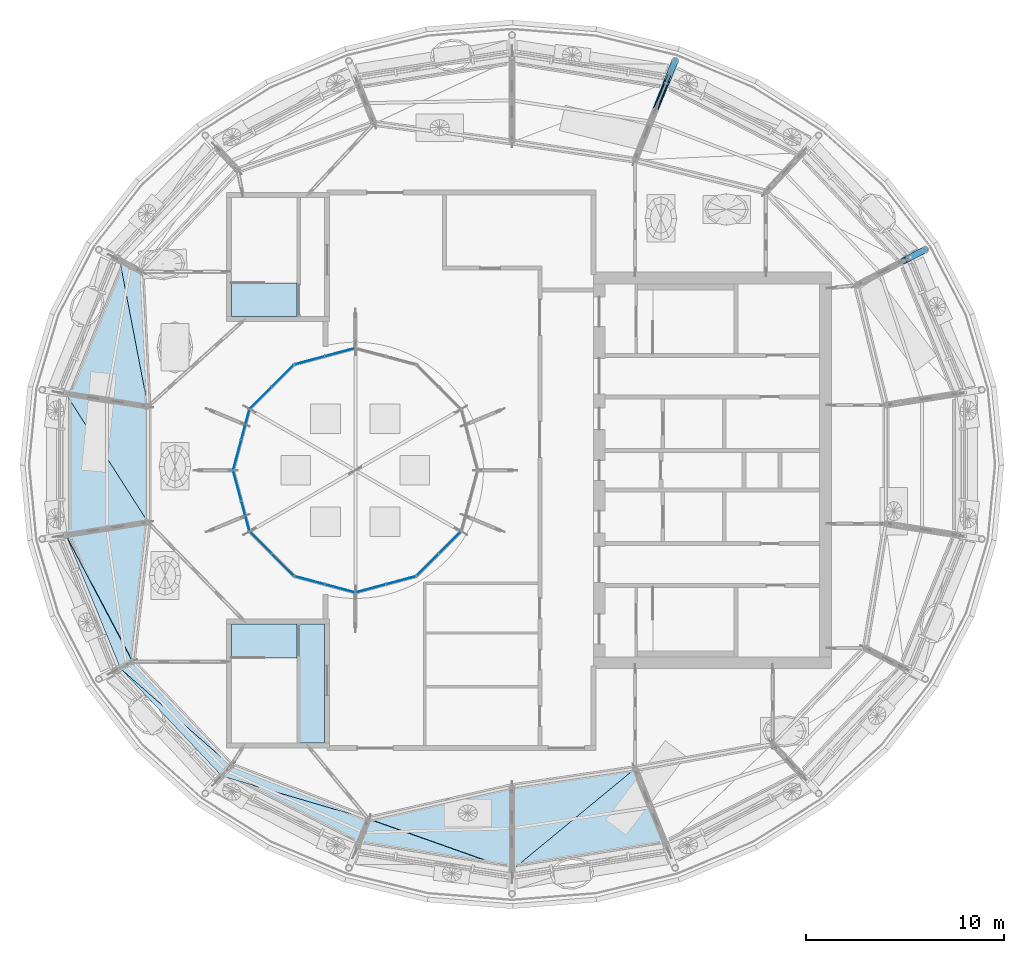
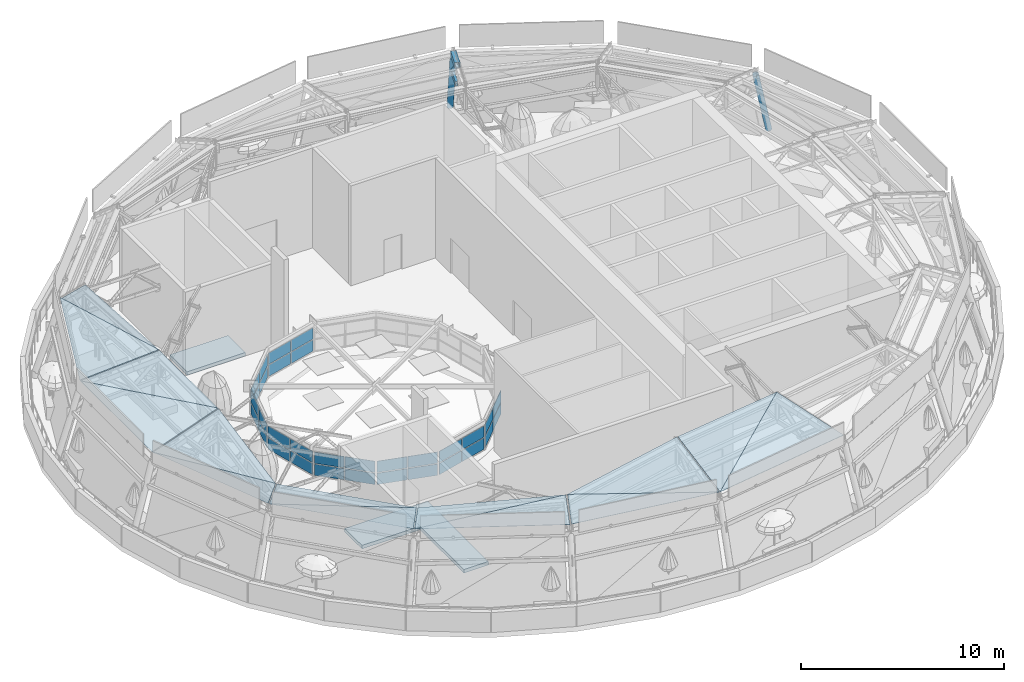
# One storey, part 14 of 40: 46 plates, 5 members, 3 slabs, 8 elements without a shape of their own.
"""IFC4 building model written with IfcOpenShell, lengths in metres."""

from ifc_helpers import new_model, si_unit, direction, frame, origin, origin_2d, place, context, subcontext, project, spatial, polyline, rectangle, hollow_rectangle, hollow_circle, outline, extrude, material, layer, layer_set, material_profile, profile_set, type_object, element, aggregate, save


model = new_model("IFC4")

# Units and contexts
model_context = context("Model", 3, precision=1e-05, world=origin(), true_north=direction((0.0, 1.0)))
body_context = subcontext(model_context, "Body", "Model", "MODEL_VIEW")
ifc_project = project(units=[si_unit("LENGTHUNIT", "METRE"), si_unit("AREAUNIT", "SQUARE_METRE"), si_unit("VOLUMEUNIT", "CUBIC_METRE"), si_unit("PLANEANGLEUNIT", "RADIAN"), si_unit("MASSUNIT", "GRAM", prefix="KILO")], contexts=[model_context])

# Site, building, storey
site_placement = place(None, origin())
site = spatial("IfcSite", under=ifc_project, at=site_placement, CompositionType="ELEMENT")
building_placement = place(site_placement, origin())
building = spatial("IfcBuilding", under=site, at=building_placement, Name="Taillehof Tower", CompositionType="ELEMENT")
storey_placement = place(building_placement, frame((0.0, 0.0, 275.199951171875)))
storey = spatial("IfcBuildingStorey", under=building, at=storey_placement, Name="L77", CompositionType="ELEMENT", Elevation=275.199951171875)

# Members
ifc_material_1 = material(Name="Steel S460M", Category="steel")
ifc_material_profile_1 = material_profile(ifc_material_1, hollow_rectangle(XDim=0.300048828125, YDim=0.300048828125, WallThickness=0.012451171875, InnerFilletRadius=0.012451171875, OuterFilletRadius=0.018798828125, at=origin_2d()), Name="RHS 300x300x12.5")
ifc_profile_set_1 = profile_set([ifc_material_profile_1], Name="Steel S460M")
member_type_1 = type_object("IfcMemberType", Name="Canopy rafter RHS 300x300x12.5", PredefinedType="RAFTER", material=ifc_profile_set_1)
member_1_placement = place(storey_placement, frame((7.67578125, 19.53173828125, 4.300048828125), z_axis=(-0.368316923818, -0.910685007914, 0.18707073526), x_axis=(0.927050748341, -0.374935874517, 0.0)))
element("IfcMember", 1, at=member_1_placement, inside=storey, type_object=member_type_1, Name="Canopy rafter 04 top chord 1", PredefinedType="RAFTER", context=body_context, shape_type="SweptSolid", body=[
    extrude(hollow_rectangle(XDim=0.300048828125, YDim=0.300048828125, WallThickness=0.012451171875, InnerFilletRadius=0.012451171875, OuterFilletRadius=0.018798828125, at=origin_2d()), origin(), (0.0, 0.0, 1.0), 1.425048828125),
])
ifc_material_2 = material(Name="Steel S460M", Category="steel")
ifc_material_profile_2 = material_profile(ifc_material_2, hollow_rectangle(XDim=0.14990234375, YDim=0.25, WallThickness=0.010009765625, InnerFilletRadius=0.010009765625, OuterFilletRadius=0.014892578125, at=origin_2d()), Name="RHS 250x150x10")
ifc_profile_set_2 = profile_set([ifc_material_profile_2], Name="Steel S460M")
member_type_2 = type_object("IfcMemberType", Name="Canopy rafter bottom chord RHS 250x150x10", PredefinedType="CHORD", material=ifc_profile_set_2)
member_2_placement = place(storey_placement, frame((7.82568359375, 19.902587890625, 3.0), z_axis=(-0.369305616031, -0.913380329878, 0.17131764346), x_axis=(0.927086518883, -0.374847417632, 0.0)))
element("IfcMember", 2, at=member_2_placement, inside=storey, type_object=member_type_2, Name="Canopy rafter 04 bottom chord 1", PredefinedType="CHORD", context=body_context, shape_type="SweptSolid", body=[
    extrude(hollow_rectangle(XDim=0.14990234375, YDim=0.25, WallThickness=0.010009765625, InnerFilletRadius=0.010009765625, OuterFilletRadius=0.014892578125, at=origin_2d()), origin(), (0.0, 0.0, 1.0), 1.55615234375),
])
ifc_material_3 = material(Name="Steel S460M", Category="steel")
ifc_material_profile_3 = material_profile(ifc_material_3, hollow_circle(Radius=0.109619140625, WallThickness=0.012451171875, at=origin_2d()), Name="CHS 219.1x12.5")
ifc_profile_set_3 = profile_set([ifc_material_profile_3], Name="Steel S460M")
member_type_3 = type_object("IfcMemberType", Name="Canopy rafter diagonal CHS 219.1x12.5", PredefinedType="BRACE", material=ifc_profile_set_3)
member_3_placement = place(storey_placement, frame((7.82568359375, 19.902587890625, 3.0), z_axis=(-0.28278555184, -0.699290610285, 0.656524922633), x_axis=(0.927066941281, -0.374895834045, 0.0)))
element("IfcMember", 3, at=member_3_placement, inside=storey, type_object=member_type_3, Name="Canopy rafter 04 diagonal 1", PredefinedType="BRACE", context=body_context, shape_type="SweptSolid", body=[
    extrude(hollow_circle(Radius=0.109619140625, WallThickness=0.012451171875, at=origin_2d()), origin(), (0.0, 0.0, 1.0), 2.38623046875),
])
ifc_material_4 = material(Name="Steel S460M", Category="steel")
ifc_material_profile_4 = material_profile(ifc_material_4, hollow_circle(Radius=0.161865234375, WallThickness=0.01611328125, at=origin_2d()), Name="CHS 323.9x16")
ifc_profile_set_4 = profile_set([ifc_material_profile_4], Name="Steel S460M")
member_type_4 = type_object("IfcMemberType", Name="Canopy raking column CHS 323.9x16", PredefinedType="POST", material=ifc_profile_set_4)
member_4_placement = place(storey_placement, frame((20.72802734375, 11.125, 0.300048828125), z_axis=(-0.255004105596, -0.132529644059, 0.957814595616), x_axis=(0.461154172377, -0.887320026427, 0.0)))
element("IfcMember", 4, at=member_4_placement, inside=storey, type_object=member_type_4, Name="Canopy raking column CC02", PredefinedType="POST", context=body_context, shape_type="SweptSolid", body=[
    extrude(hollow_circle(Radius=0.161865234375, WallThickness=0.01611328125, at=origin_2d()), origin(), (0.0, 0.0, 1.0), 4.17626953125),
])
member_5_placement = place(storey_placement, frame((8.12548828125, 20.644287109375, 0.300048828125), z_axis=(-0.107685299754, -0.266407117795, 0.957826249277), x_axis=(0.927123602073, -0.374755689054, 0.0)))
element("IfcMember", 5, at=member_5_placement, inside=storey, type_object=member_type_4, Name="Canopy raking column CC04", PredefinedType="POST", context=body_context, shape_type="SweptSolid", body=[
    extrude(hollow_circle(Radius=0.161865234375, WallThickness=0.01611328125, at=origin_2d()), origin(), (0.0, 0.0, 1.0), 4.176025390625),
])

# Plates
ifc_material_5 = material(Name="Clear laminated safety glass", Category="glass")
ifc_layer_1 = layer(ifc_material_5, 0.031982421875)
ifc_layer_set_1 = layer_set([ifc_layer_1], Name="Canopy glass panel 32")
plate_type_1 = type_object("IfcPlateType", Name="Canopy glass panel 32", PredefinedType="SHEET", material=ifc_layer_set_1)
plate_1_placement = place(storey_placement, frame((-19.863525390625, 10.537109375, 4.747802734375), z_axis=(-0.177751498874, 0.072575569252, 0.981395532594), x_axis=(-0.378164936887, -0.925738234789, -3.4038248e-05)))
element("IfcPlate", 6, at=plate_1_placement, inside=storey, type_object=plate_type_1, Name="Canopy glass panel 8", PredefinedType="SHEET", context=body_context, shape_type="SweptSolid", body=[
    extrude(outline(polyline([(0.0, 0.0), (7.172537903909927, 7.655416014648586e-16), (6.220695316126474, 4.129943630446427), (0.0, 0.0)])), origin(), (0.0, 0.0, -1.0), 0.031982421875),
])
plate_2_placement = place(storey_placement, frame((-19.841796875, 10.423583984375, 4.755615234375), z_axis=(-0.61068576377, -0.031137299134, 0.79126061859), x_axis=(0.187456882838, -0.976509534431, 0.106249923494)))
element("IfcPlate", 7, at=plate_2_placement, inside=storey, type_object=plate_type_1, Name="Canopy glass panel 8", PredefinedType="SHEET", context=body_context, shape_type="SweptSolid", body=[
    extrude(outline(polyline([(0.0, 0.0), (7.350648675242615, 0.0), (0.8076401509458508, 1.1512239789768919), (0.0, 0.0)])), origin(), (0.0, 0.0, -1.0), 0.031982421875),
])
plate_3_placement = place(storey_placement, frame((-22.58154296875, 3.8408203125, 4.748779296875), z_axis=(-0.189943445447, 0.004095572137, 0.981786490954), x_axis=(0.0, -0.999991299196, 0.004171514418)))
element("IfcPlate", 8, at=plate_3_placement, inside=storey, type_object=plate_type_1, Name="Canopy glass panel 9", PredefinedType="SHEET", context=body_context, shape_type="SweptSolid", body=[
    extrude(outline(polyline([(0.0, 0.0), (7.081604584404351, 0.0), (6.42866613800827, 4.186567891294047), (0.0, 0.0)])), origin(), (0.0, 0.0, -1.0), 0.031982421875),
])
plate_4_placement = place(storey_placement, frame((-22.58154296875, 3.8408203125, 4.748779296875), z_axis=(-0.188600761296, 0.004987090214, 0.9820411813), x_axis=(0.535780522883, -0.837530993184, 0.107149739876)))
element("IfcPlate", 9, at=plate_4_placement, inside=storey, type_object=plate_type_1, Name="Canopy glass panel 9", PredefinedType="SHEET", context=body_context, shape_type="SweptSolid", body=[
    extrude(outline(polyline([(0.0, 0.0), (7.671707699227627, 4.440892098500626e-16), (2.8368162593549395, 3.1474656228169335), (0.0, 0.0)])), origin(), (0.0, 0.0, -1.0), 0.031982421875),
])
plate_5_placement = place(storey_placement, frame((-22.57666015625, -3.298095703125, 4.786865234375), z_axis=(-0.69795829805, -0.284962261128, 0.657001311959), x_axis=(0.378154251284, -0.925742577887, 0.000204260489)))
element("IfcPlate", 10, at=plate_5_placement, inside=storey, type_object=plate_type_1, Name="Canopy glass panel 10", PredefinedType="SHEET", context=body_context, shape_type="SweptSolid", body=[
    extrude(outline(polyline([(0.0, 0.0), (7.171449357743147, 2.2768245622195593e-17), (7.105878757107202, 1.0512070568998189), (0.0, 0.0)])), origin(), (0.0, 0.0, -1.0), 0.031982421875),
])
plate_6_placement = place(storey_placement, frame((-22.57666015625, -3.298095703125, 4.77978515625), z_axis=(-0.192675782628, 0.021650154872, 0.981023605008), x_axis=(0.4630906035, -0.879413304584, 0.110360013913)))
element("IfcPlate", 11, at=plate_6_placement, inside=storey, type_object=plate_type_1, Name="Canopy glass panel 10", PredefinedType="SHEET", context=body_context, shape_type="SweptSolid", body=[
    extrude(outline(polyline([(0.0, 0.0), (7.183078193522009, -2.220446049250313e-16), (1.4176864119859394, 3.9943189068120275), (0.0, 0.0)])), origin(), (0.0, 0.0, -1.0), 0.031982421875),
])
plate_7_placement = place(storey_placement, frame((-19.836669921875, -9.9951171875, 4.778564453125), z_axis=(-0.548323753706, -0.5167480229, 0.657504784736), x_axis=(0.685842152831, -0.727750329028, 0.0)))
element("IfcPlate", 12, at=plate_7_placement, inside=storey, type_object=plate_type_1, Name="Canopy glass panel 11", PredefinedType="SHEET", context=body_context, shape_type="SweptSolid", body=[
    extrude(outline(polyline([(0.0, 0.0), (7.398522719926669, 4.440892098500626e-16), (7.353150048992442, 1.0518018196059145), (0.0, 0.0)])), origin(), (0.0, 0.0, -1.0), 0.031982421875),
])
plate_8_placement = place(storey_placement, frame((-19.836669921875, -9.9951171875, 4.778564453125), z_axis=(-0.555221799589, -0.52686194356, 0.643541176374), x_axis=(0.746686968832, -0.656563909208, 0.106688348483)))
element("IfcPlate", 13, at=plate_8_placement, inside=storey, type_object=plate_type_1, Name="Canopy glass panel 11", PredefinedType="SHEET", context=body_context, shape_type="SweptSolid", body=[
    extrude(outline(polyline([(0.0, 0.0), (7.427994528183491, 0.0), (0.33548153979251527, 0.9983494125164301), (0.0, 0.0)])), origin(), (0.0, 0.0, -1.0), 0.031982421875),
])
plate_9_placement = place(storey_placement, frame((-14.7080078125, -15.418701171875, 4.777587890625), z_axis=(-0.221337310152, -0.431087980292, 0.874741646649), x_axis=(0.889594012617, -0.456752112984, 0.0)))
element("IfcPlate", 14, at=plate_9_placement, inside=storey, type_object=plate_type_1, Name="Canopy glass panel 12", PredefinedType="SHEET", context=body_context, shape_type="SweptSolid", body=[
    extrude(outline(polyline([(0.0, 0.0), (7.64783339408764, 0.0), (7.518537706439309, 1.6358680788935966), (0.0, 0.0)])), origin(), (0.0, 0.0, -1.0), 0.031982421875),
])
plate_10_placement = place(storey_placement, frame((-14.7080078125, -15.418701171875, 4.7763671875), z_axis=(-0.281017382925, -0.723355656782, 0.630702643324), x_axis=(0.95420029005, -0.280869250408, 0.103025582476)))
element("IfcPlate", 15, at=plate_10_placement, inside=storey, type_object=plate_type_1, Name="Canopy glass panel 12", PredefinedType="SHEET", context=body_context, shape_type="SweptSolid", body=[
    extrude(outline(polyline([(0.0, 0.0), (7.694444334368317, -2.220446049250313e-16), (0.3922321069277287, 0.9777875920383662), (0.0, 0.0)])), origin(), (0.0, 0.0, -1.0), 0.031982421875),
])
plate_11_placement = place(storey_placement, frame((-7.81640625, -18.92919921875, 4.781494140625), z_axis=(-0.071997177757, -0.488536364726, 0.869568069064), x_axis=(0.987930480791, -0.154811342495, -0.005178161669)))
element("IfcPlate", 16, at=plate_11_placement, inside=storey, type_object=plate_type_1, Name="Canopy glass panel 13", PredefinedType="SHEET", context=body_context, shape_type="SweptSolid", body=[
    extrude(outline(polyline([(0.0, 0.0), (7.779440987430391, -4.85722573273506e-17), (0.32638188062307555, 1.6043741407013785), (0.0, 0.0)])), origin(), (0.0, 0.0, -1.0), 0.031982421875),
])
plate_12_placement = place(storey_placement, frame((-0.130859375, -20.133544921875, 4.7392578125), z_axis=(0.047815404412, -0.186900914643, 0.981214418568), x_axis=(0.000172713982, 0.98233955957, 0.187106814077)))
element("IfcPlate", 17, at=plate_12_placement, inside=storey, type_object=plate_type_1, Name="Canopy glass panel 13", PredefinedType="SHEET", context=body_context, shape_type="SweptSolid", body=[
    extrude(outline(polyline([(0.0, 0.0), (4.24066346895315, 0.0), (2.6495647074223276, 7.1751686642438335), (0.0, 0.0)])), origin(), (0.0, 0.0, -1.0), 0.031982421875),
])
plate_13_placement = place(storey_placement, frame((-0.072021484375, -20.12890625, 4.737548828125), z_axis=(0.032193868865, -0.188581909805, 0.9815296318), x_axis=(0.987963117364, 0.154666251316, -0.002688760383)))
element("IfcPlate", 18, at=plate_13_placement, inside=storey, type_object=plate_type_1, Name="Canopy glass panel 14", PredefinedType="SHEET", context=body_context, shape_type="SweptSolid", body=[
    extrude(outline(polyline([(0.0, 0.0), (7.808837814295275, 8.239936510889834e-17), (6.8549009238521545, 4.131938772824582), (0.0, 0.0)])), origin(), (0.0, 0.0, -1.0), 0.031982421875),
])
plate_14_placement = place(storey_placement, frame((-0.072021484375, -20.12890625, 4.737548828125), z_axis=(0.030882919803, -0.187042875276, 0.981866186439), x_axis=(0.768026670139, 0.633113370881, 0.096449435283)))
element("IfcPlate", 19, at=plate_14_placement, inside=storey, type_object=plate_type_1, Name="Canopy glass panel 14", PredefinedType="SHEET", context=body_context, shape_type="SweptSolid", body=[
    extrude(outline(polyline([(0.0, 0.0), (8.003910587843935, -2.7755575615628914e-17), (2.7161378228621853, 3.255039244843323), (0.0, 0.0)])), origin(), (0.0, 0.0, -1.0), 0.031982421875),
])

# Curtain wall, plates
ifc_material_6 = material(Name="Aluminium curtain wall with Clear low-emissivity double glazing", Category="aluminium")
curtain_wall_type = type_object("IfcCurtainWallType", Name="Roof lantern curtain wall", PredefinedType="USERDEFINED", material=ifc_material_6)
curtain_wall_1_placement = place(storey_placement, origin())
curtain_wall_1 = element("IfcCurtainWall", 20, at=curtain_wall_1_placement, inside=storey, type_object=curtain_wall_type, Name="Roof lantern bay 4", ObjectType="WINDOW WALL", PredefinedType="USERDEFINED")
ifc_material_7 = material(Name="Clear low-emissivity double glazing", Category="glass")
ifc_layer_2 = layer(ifc_material_7, 0.028076171875)
ifc_layer_set_2 = layer_set([ifc_layer_2], Name="Roof lantern glass panel 28")
plate_type_2 = type_object("IfcPlateType", Name="Roof lantern glass panel 28", PredefinedType="CURTAIN_PANEL", material=ifc_layer_set_2)
plate_15_placement = place(storey_placement, frame((-8.781982421875, 5.950439453125, 0.0498046875), z_axis=(0.0, 0.0, 1.0), x_axis=(-0.965925826289, -0.258819045103, 0.0)))
plate_15 = element("IfcPlate", 21, at=plate_15_placement, type_object=plate_type_2, Name="CT704 panel 1.1", PredefinedType="CURTAIN_PANEL", context=body_context, shape_type="SweptSolid", body=[
    extrude(rectangle(XDim=1.519287109375, YDim=0.028076171875, at=origin_2d()), origin(), (0.0, 0.0, 1.0), 0.675048828125),
])
plate_16_placement = place(storey_placement, frame((-8.781982421875, 5.950439453125, 0.77490234375), z_axis=(0.0, 0.0, 1.0), x_axis=(-0.965925826289, -0.258819045103, 0.0)))
plate_16 = element("IfcPlate", 22, at=plate_16_placement, type_object=plate_type_2, Name="CT704 panel 1.2", PredefinedType="CURTAIN_PANEL", context=body_context, shape_type="SweptSolid", body=[
    extrude(rectangle(XDim=1.519287109375, YDim=0.028076171875, at=origin_2d()), origin(), (0.0, 0.0, 1.0), 0.675048828125),
])
plate_17_placement = place(storey_placement, frame((-10.2978515625, 5.544189453125, 0.0498046875), z_axis=(0.0, 0.0, 1.0), x_axis=(-0.965925826289, -0.258819045103, 0.0)))
plate_17 = element("IfcPlate", 23, at=plate_17_placement, type_object=plate_type_2, Name="CT704 panel 2.1", PredefinedType="CURTAIN_PANEL", context=body_context, shape_type="SweptSolid", body=[
    extrude(rectangle(XDim=1.519287109375, YDim=0.028076171875, at=origin_2d()), origin(), (0.0, 0.0, 1.0), 0.675048828125),
])
plate_18_placement = place(storey_placement, frame((-10.2978515625, 5.544189453125, 0.77490234375), z_axis=(0.0, 0.0, 1.0), x_axis=(-0.965925826289, -0.258819045103, 0.0)))
plate_18 = element("IfcPlate", 24, at=plate_18_placement, type_object=plate_type_2, Name="CT704 panel 2.2", PredefinedType="CURTAIN_PANEL", context=body_context, shape_type="SweptSolid", body=[
    extrude(rectangle(XDim=1.519287109375, YDim=0.028076171875, at=origin_2d()), origin(), (0.0, 0.0, 1.0), 0.675048828125),
])
aggregate(curtain_wall_1, [plate_15, plate_16, plate_17, plate_18])

curtain_wall_2_placement = place(storey_placement, origin())
curtain_wall_2 = element("IfcCurtainWall", 25, at=curtain_wall_2_placement, inside=storey, type_object=curtain_wall_type, Name="Roof lantern bay 5", ObjectType="WINDOW WALL", PredefinedType="USERDEFINED")
plate_19_placement = place(storey_placement, frame((-11.652587890625, 4.76220703125, 0.0498046875), z_axis=(0.0, 0.0, 1.0), x_axis=(-0.707106781187, -0.707106781187, 0.0)))
plate_19 = element("IfcPlate", 26, at=plate_19_placement, type_object=plate_type_2, Name="CT705 panel 1.1", PredefinedType="CURTAIN_PANEL", context=body_context, shape_type="SweptSolid", body=[
    extrude(rectangle(XDim=1.519287109375, YDim=0.028076171875, at=origin_2d()), origin(), (0.0, 0.0, 1.0), 0.675048828125),
])
plate_20_placement = place(storey_placement, frame((-11.652587890625, 4.76220703125, 0.77490234375), z_axis=(0.0, 0.0, 1.0), x_axis=(-0.707106781187, -0.707106781187, 0.0)))
plate_20 = element("IfcPlate", 27, at=plate_20_placement, type_object=plate_type_2, Name="CT705 panel 1.2", PredefinedType="CURTAIN_PANEL", context=body_context, shape_type="SweptSolid", body=[
    extrude(rectangle(XDim=1.519287109375, YDim=0.028076171875, at=origin_2d()), origin(), (0.0, 0.0, 1.0), 0.675048828125),
])
plate_21_placement = place(storey_placement, frame((-12.76220703125, 3.652587890625, 0.0498046875), z_axis=(0.0, 0.0, 1.0), x_axis=(-0.707106781187, -0.707106781187, 0.0)))
plate_21 = element("IfcPlate", 28, at=plate_21_placement, type_object=plate_type_2, Name="CT705 panel 2.1", PredefinedType="CURTAIN_PANEL", context=body_context, shape_type="SweptSolid", body=[
    extrude(rectangle(XDim=1.519287109375, YDim=0.028076171875, at=origin_2d()), origin(), (0.0, 0.0, 1.0), 0.675048828125),
])
plate_22_placement = place(storey_placement, frame((-12.76220703125, 3.652587890625, 0.77490234375), z_axis=(0.0, 0.0, 1.0), x_axis=(-0.707106781187, -0.707106781187, 0.0)))
plate_22 = element("IfcPlate", 29, at=plate_22_placement, type_object=plate_type_2, Name="CT705 panel 2.2", PredefinedType="CURTAIN_PANEL", context=body_context, shape_type="SweptSolid", body=[
    extrude(rectangle(XDim=1.519287109375, YDim=0.028076171875, at=origin_2d()), origin(), (0.0, 0.0, 1.0), 0.675048828125),
])
aggregate(curtain_wall_2, [plate_19, plate_20, plate_21, plate_22])

curtain_wall_3_placement = place(storey_placement, origin())
curtain_wall_3 = element("IfcCurtainWall", 30, at=curtain_wall_3_placement, inside=storey, type_object=curtain_wall_type, Name="Roof lantern bay 6", ObjectType="WINDOW WALL", PredefinedType="USERDEFINED")
plate_23_placement = place(storey_placement, frame((-13.544189453125, 2.2978515625, 0.0498046875), z_axis=(0.0, 0.0, 1.0), x_axis=(-0.258819045103, -0.965925826289, 0.0)))
plate_23 = element("IfcPlate", 31, at=plate_23_placement, type_object=plate_type_2, Name="CT706 panel 1.1", PredefinedType="CURTAIN_PANEL", context=body_context, shape_type="SweptSolid", body=[
    extrude(rectangle(XDim=1.519287109375, YDim=0.028076171875, at=origin_2d()), origin(), (0.0, 0.0, 1.0), 0.675048828125),
])
plate_24_placement = place(storey_placement, frame((-13.544189453125, 2.2978515625, 0.77490234375), z_axis=(0.0, 0.0, 1.0), x_axis=(-0.258819045103, -0.965925826289, 0.0)))
plate_24 = element("IfcPlate", 32, at=plate_24_placement, type_object=plate_type_2, Name="CT706 panel 1.2", PredefinedType="CURTAIN_PANEL", context=body_context, shape_type="SweptSolid", body=[
    extrude(rectangle(XDim=1.519287109375, YDim=0.028076171875, at=origin_2d()), origin(), (0.0, 0.0, 1.0), 0.675048828125),
])
plate_25_placement = place(storey_placement, frame((-13.950439453125, 0.781982421875, 0.0498046875), z_axis=(0.0, 0.0, 1.0), x_axis=(-0.258819045103, -0.965925826289, 0.0)))
plate_25 = element("IfcPlate", 33, at=plate_25_placement, type_object=plate_type_2, Name="CT706 panel 2.1", PredefinedType="CURTAIN_PANEL", context=body_context, shape_type="SweptSolid", body=[
    extrude(rectangle(XDim=1.519287109375, YDim=0.028076171875, at=origin_2d()), origin(), (0.0, 0.0, 1.0), 0.675048828125),
])
plate_26_placement = place(storey_placement, frame((-13.950439453125, 0.781982421875, 0.77490234375), z_axis=(0.0, 0.0, 1.0), x_axis=(-0.258819045103, -0.965925826289, 0.0)))
plate_26 = element("IfcPlate", 34, at=plate_26_placement, type_object=plate_type_2, Name="CT706 panel 2.2", PredefinedType="CURTAIN_PANEL", context=body_context, shape_type="SweptSolid", body=[
    extrude(rectangle(XDim=1.519287109375, YDim=0.028076171875, at=origin_2d()), origin(), (0.0, 0.0, 1.0), 0.675048828125),
])
aggregate(curtain_wall_3, [plate_23, plate_24, plate_25, plate_26])

curtain_wall_4_placement = place(storey_placement, origin())
curtain_wall_4 = element("IfcCurtainWall", 35, at=curtain_wall_4_placement, inside=storey, type_object=curtain_wall_type, Name="Roof lantern bay 7", ObjectType="WINDOW WALL", PredefinedType="USERDEFINED")
plate_27_placement = place(storey_placement, frame((-13.950439453125, -0.781982421875, 0.0498046875), z_axis=(0.0, 0.0, 1.0), x_axis=(0.258819045103, -0.965925826289, 0.0)))
plate_27 = element("IfcPlate", 36, at=plate_27_placement, type_object=plate_type_2, Name="CT707 panel 1.1", PredefinedType="CURTAIN_PANEL", context=body_context, shape_type="SweptSolid", body=[
    extrude(rectangle(XDim=1.519287109375, YDim=0.028076171875, at=origin_2d()), origin(), (0.0, 0.0, 1.0), 0.675048828125),
])
plate_28_placement = place(storey_placement, frame((-13.950439453125, -0.781982421875, 0.77490234375), z_axis=(0.0, 0.0, 1.0), x_axis=(0.258819045103, -0.965925826289, 0.0)))
plate_28 = element("IfcPlate", 37, at=plate_28_placement, type_object=plate_type_2, Name="CT707 panel 1.2", PredefinedType="CURTAIN_PANEL", context=body_context, shape_type="SweptSolid", body=[
    extrude(rectangle(XDim=1.519287109375, YDim=0.028076171875, at=origin_2d()), origin(), (0.0, 0.0, 1.0), 0.675048828125),
])
plate_29_placement = place(storey_placement, frame((-13.544189453125, -2.2978515625, 0.0498046875), z_axis=(0.0, 0.0, 1.0), x_axis=(0.258819045103, -0.965925826289, 0.0)))
plate_29 = element("IfcPlate", 38, at=plate_29_placement, type_object=plate_type_2, Name="CT707 panel 2.1", PredefinedType="CURTAIN_PANEL", context=body_context, shape_type="SweptSolid", body=[
    extrude(rectangle(XDim=1.519287109375, YDim=0.028076171875, at=origin_2d()), origin(), (0.0, 0.0, 1.0), 0.675048828125),
])
plate_30_placement = place(storey_placement, frame((-13.544189453125, -2.2978515625, 0.77490234375), z_axis=(0.0, 0.0, 1.0), x_axis=(0.258819045103, -0.965925826289, 0.0)))
plate_30 = element("IfcPlate", 39, at=plate_30_placement, type_object=plate_type_2, Name="CT707 panel 2.2", PredefinedType="CURTAIN_PANEL", context=body_context, shape_type="SweptSolid", body=[
    extrude(rectangle(XDim=1.519287109375, YDim=0.028076171875, at=origin_2d()), origin(), (0.0, 0.0, 1.0), 0.675048828125),
])
aggregate(curtain_wall_4, [plate_27, plate_28, plate_29, plate_30])

curtain_wall_5_placement = place(storey_placement, origin())
curtain_wall_5 = element("IfcCurtainWall", 40, at=curtain_wall_5_placement, inside=storey, type_object=curtain_wall_type, Name="Roof lantern bay 8", ObjectType="WINDOW WALL", PredefinedType="USERDEFINED")
plate_31_placement = place(storey_placement, frame((-12.76220703125, -3.652587890625, 0.0498046875), z_axis=(0.0, 0.0, 1.0), x_axis=(0.707106781187, -0.707106781187, 0.0)))
plate_31 = element("IfcPlate", 41, at=plate_31_placement, type_object=plate_type_2, Name="CT708 panel 1.1", PredefinedType="CURTAIN_PANEL", context=body_context, shape_type="SweptSolid", body=[
    extrude(rectangle(XDim=1.519287109375, YDim=0.028076171875, at=origin_2d()), origin(), (0.0, 0.0, 1.0), 0.675048828125),
])
plate_32_placement = place(storey_placement, frame((-12.76220703125, -3.652587890625, 0.77490234375), z_axis=(0.0, 0.0, 1.0), x_axis=(0.707106781187, -0.707106781187, 0.0)))
plate_32 = element("IfcPlate", 42, at=plate_32_placement, type_object=plate_type_2, Name="CT708 panel 1.2", PredefinedType="CURTAIN_PANEL", context=body_context, shape_type="SweptSolid", body=[
    extrude(rectangle(XDim=1.519287109375, YDim=0.028076171875, at=origin_2d()), origin(), (0.0, 0.0, 1.0), 0.675048828125),
])
plate_33_placement = place(storey_placement, frame((-11.652587890625, -4.76220703125, 0.0498046875), z_axis=(0.0, 0.0, 1.0), x_axis=(0.707106781187, -0.707106781187, 0.0)))
plate_33 = element("IfcPlate", 43, at=plate_33_placement, type_object=plate_type_2, Name="CT708 panel 2.1", PredefinedType="CURTAIN_PANEL", context=body_context, shape_type="SweptSolid", body=[
    extrude(rectangle(XDim=1.519287109375, YDim=0.028076171875, at=origin_2d()), origin(), (0.0, 0.0, 1.0), 0.675048828125),
])
plate_34_placement = place(storey_placement, frame((-11.652587890625, -4.76220703125, 0.77490234375), z_axis=(0.0, 0.0, 1.0), x_axis=(0.707106781187, -0.707106781187, 0.0)))
plate_34 = element("IfcPlate", 44, at=plate_34_placement, type_object=plate_type_2, Name="CT708 panel 2.2", PredefinedType="CURTAIN_PANEL", context=body_context, shape_type="SweptSolid", body=[
    extrude(rectangle(XDim=1.519287109375, YDim=0.028076171875, at=origin_2d()), origin(), (0.0, 0.0, 1.0), 0.675048828125),
])
aggregate(curtain_wall_5, [plate_31, plate_32, plate_33, plate_34])

curtain_wall_6_placement = place(storey_placement, origin())
curtain_wall_6 = element("IfcCurtainWall", 45, at=curtain_wall_6_placement, inside=storey, type_object=curtain_wall_type, Name="Roof lantern bay 9", ObjectType="WINDOW WALL", PredefinedType="USERDEFINED")
plate_35_placement = place(storey_placement, frame((-10.2978515625, -5.544189453125, 0.0498046875), z_axis=(0.0, 0.0, 1.0), x_axis=(0.965925826289, -0.258819045103, 0.0)))
plate_35 = element("IfcPlate", 46, at=plate_35_placement, type_object=plate_type_2, Name="CT709 panel 1.1", PredefinedType="CURTAIN_PANEL", context=body_context, shape_type="SweptSolid", body=[
    extrude(rectangle(XDim=1.519287109375, YDim=0.028076171875, at=origin_2d()), origin(), (0.0, 0.0, 1.0), 0.675048828125),
])
plate_36_placement = place(storey_placement, frame((-10.2978515625, -5.544189453125, 0.77490234375), z_axis=(0.0, 0.0, 1.0), x_axis=(0.965925826289, -0.258819045103, 0.0)))
plate_36 = element("IfcPlate", 47, at=plate_36_placement, type_object=plate_type_2, Name="CT709 panel 1.2", PredefinedType="CURTAIN_PANEL", context=body_context, shape_type="SweptSolid", body=[
    extrude(rectangle(XDim=1.519287109375, YDim=0.028076171875, at=origin_2d()), origin(), (0.0, 0.0, 1.0), 0.675048828125),
])
plate_37_placement = place(storey_placement, frame((-8.781982421875, -5.950439453125, 0.0498046875), z_axis=(0.0, 0.0, 1.0), x_axis=(0.965925826289, -0.258819045103, 0.0)))
plate_37 = element("IfcPlate", 48, at=plate_37_placement, type_object=plate_type_2, Name="CT709 panel 2.1", PredefinedType="CURTAIN_PANEL", context=body_context, shape_type="SweptSolid", body=[
    extrude(rectangle(XDim=1.519287109375, YDim=0.028076171875, at=origin_2d()), origin(), (0.0, 0.0, 1.0), 0.675048828125),
])
plate_38_placement = place(storey_placement, frame((-8.781982421875, -5.950439453125, 0.77490234375), z_axis=(0.0, 0.0, 1.0), x_axis=(0.965925826289, -0.258819045103, 0.0)))
plate_38 = element("IfcPlate", 49, at=plate_38_placement, type_object=plate_type_2, Name="CT709 panel 2.2", PredefinedType="CURTAIN_PANEL", context=body_context, shape_type="SweptSolid", body=[
    extrude(rectangle(XDim=1.519287109375, YDim=0.028076171875, at=origin_2d()), origin(), (0.0, 0.0, 1.0), 0.675048828125),
])
aggregate(curtain_wall_6, [plate_35, plate_36, plate_37, plate_38])

curtain_wall_7_placement = place(storey_placement, origin())
curtain_wall_7 = element("IfcCurtainWall", 50, at=curtain_wall_7_placement, inside=storey, type_object=curtain_wall_type, Name="Roof lantern bay 10", ObjectType="WINDOW WALL", PredefinedType="USERDEFINED")
plate_39_placement = place(storey_placement, frame((-7.218017578125, -5.950439453125, 0.0498046875), z_axis=(0.0, 0.0, 1.0), x_axis=(0.965925826289, 0.258819045103, 0.0)))
plate_39 = element("IfcPlate", 51, at=plate_39_placement, type_object=plate_type_2, Name="CT710 panel 1.1", PredefinedType="CURTAIN_PANEL", context=body_context, shape_type="SweptSolid", body=[
    extrude(rectangle(XDim=1.519287109375, YDim=0.028076171875, at=origin_2d()), origin(), (0.0, 0.0, 1.0), 0.675048828125),
])
plate_40_placement = place(storey_placement, frame((-7.218017578125, -5.950439453125, 0.77490234375), z_axis=(0.0, 0.0, 1.0), x_axis=(0.965925826289, 0.258819045103, 0.0)))
plate_40 = element("IfcPlate", 52, at=plate_40_placement, type_object=plate_type_2, Name="CT710 panel 1.2", PredefinedType="CURTAIN_PANEL", context=body_context, shape_type="SweptSolid", body=[
    extrude(rectangle(XDim=1.519287109375, YDim=0.028076171875, at=origin_2d()), origin(), (0.0, 0.0, 1.0), 0.675048828125),
])
plate_41_placement = place(storey_placement, frame((-5.7021484375, -5.544189453125, 0.0498046875), z_axis=(0.0, 0.0, 1.0), x_axis=(0.965925826289, 0.258819045103, 0.0)))
plate_41 = element("IfcPlate", 53, at=plate_41_placement, type_object=plate_type_2, Name="CT710 panel 2.1", PredefinedType="CURTAIN_PANEL", context=body_context, shape_type="SweptSolid", body=[
    extrude(rectangle(XDim=1.519287109375, YDim=0.028076171875, at=origin_2d()), origin(), (0.0, 0.0, 1.0), 0.675048828125),
])
plate_42_placement = place(storey_placement, frame((-5.7021484375, -5.544189453125, 0.77490234375), z_axis=(0.0, 0.0, 1.0), x_axis=(0.965925826289, 0.258819045103, 0.0)))
plate_42 = element("IfcPlate", 54, at=plate_42_placement, type_object=plate_type_2, Name="CT710 panel 2.2", PredefinedType="CURTAIN_PANEL", context=body_context, shape_type="SweptSolid", body=[
    extrude(rectangle(XDim=1.519287109375, YDim=0.028076171875, at=origin_2d()), origin(), (0.0, 0.0, 1.0), 0.675048828125),
])
aggregate(curtain_wall_7, [plate_39, plate_40, plate_41, plate_42])

curtain_wall_8_placement = place(storey_placement, origin())
curtain_wall_8 = element("IfcCurtainWall", 55, at=curtain_wall_8_placement, inside=storey, type_object=curtain_wall_type, Name="Roof lantern bay 11", ObjectType="WINDOW WALL", PredefinedType="USERDEFINED")
plate_43_placement = place(storey_placement, frame((-4.347412109375, -4.76220703125, 0.0498046875), z_axis=(0.0, 0.0, 1.0), x_axis=(0.707106781187, 0.707106781187, 0.0)))
plate_43 = element("IfcPlate", 56, at=plate_43_placement, type_object=plate_type_2, Name="CT711 panel 1.1", PredefinedType="CURTAIN_PANEL", context=body_context, shape_type="SweptSolid", body=[
    extrude(rectangle(XDim=1.519287109375, YDim=0.028076171875, at=origin_2d()), origin(), (0.0, 0.0, 1.0), 0.675048828125),
])
plate_44_placement = place(storey_placement, frame((-4.347412109375, -4.76220703125, 0.77490234375), z_axis=(0.0, 0.0, 1.0), x_axis=(0.707106781187, 0.707106781187, 0.0)))
plate_44 = element("IfcPlate", 57, at=plate_44_placement, type_object=plate_type_2, Name="CT711 panel 1.2", PredefinedType="CURTAIN_PANEL", context=body_context, shape_type="SweptSolid", body=[
    extrude(rectangle(XDim=1.519287109375, YDim=0.028076171875, at=origin_2d()), origin(), (0.0, 0.0, 1.0), 0.675048828125),
])
plate_45_placement = place(storey_placement, frame((-3.23779296875, -3.652587890625, 0.0498046875), z_axis=(0.0, 0.0, 1.0), x_axis=(0.707106781187, 0.707106781187, 0.0)))
plate_45 = element("IfcPlate", 58, at=plate_45_placement, type_object=plate_type_2, Name="CT711 panel 2.1", PredefinedType="CURTAIN_PANEL", context=body_context, shape_type="SweptSolid", body=[
    extrude(rectangle(XDim=1.519287109375, YDim=0.028076171875, at=origin_2d()), origin(), (0.0, 0.0, 1.0), 0.675048828125),
])
plate_46_placement = place(storey_placement, frame((-3.23779296875, -3.652587890625, 0.77490234375), z_axis=(0.0, 0.0, 1.0), x_axis=(0.707106781187, 0.707106781187, 0.0)))
plate_46 = element("IfcPlate", 59, at=plate_46_placement, type_object=plate_type_2, Name="CT711 panel 2.2", PredefinedType="CURTAIN_PANEL", context=body_context, shape_type="SweptSolid", body=[
    extrude(rectangle(XDim=1.519287109375, YDim=0.028076171875, at=origin_2d()), origin(), (0.0, 0.0, 1.0), 0.675048828125),
])
aggregate(curtain_wall_8, [plate_43, plate_44, plate_45, plate_46])

# Slabs
ifc_material_8 = material(Name="Concrete C40/50", Category="concrete")
ifc_layer_3 = layer(ifc_material_8, 0.2099609375)
ifc_layer_set_3 = layer_set([ifc_layer_3], Name="Stair landing C40/50 210")
slab_type = type_object("IfcSlabType", Name="Stair landing C40/50 210", PredefinedType="LANDING", material=ifc_layer_set_3)
slab_1_placement = place(storey_placement, frame((0.0, 0.0, -0.2099609375)))
element("IfcSlab", 60, at=slab_1_placement, inside=storey, type_object=slab_type, Name="Stair S3 floor landing", PredefinedType="LANDING", context=body_context, shape_type="SweptSolid", body=[
    extrude(outline(polyline([(-14.25, 7.75), (-14.25, 9.449951171875), (-10.949951171875, 9.449951171875), (-10.949951171875, 7.75), (-14.25, 7.75)])), origin(), (0.0, 0.0, 1.0), 0.2099609375),
])
slab_2_placement = place(storey_placement, frame((0.0, 0.0, -0.2099609375)))
element("IfcSlab", 61, at=slab_2_placement, inside=storey, type_object=slab_type, Name="Stair S4 floor landing", PredefinedType="LANDING", context=body_context, shape_type="SweptSolid", body=[
    extrude(outline(polyline([(-14.25, -7.75), (-14.25, -9.449951171875), (-10.949951171875, -9.449951171875), (-10.949951171875, -7.75), (-14.25, -7.75)])), origin(), (0.0, 0.0, 1.0), 0.2099609375),
])
slab_3_placement = place(storey_placement, frame((0.0, 0.0, -0.2099609375)))
element("IfcSlab", 62, at=slab_3_placement, inside=storey, type_object=slab_type, Name="Stair lobby S4 floor", PredefinedType="LANDING", context=body_context, shape_type="SweptSolid", body=[
    extrude(outline(polyline([(-10.949951171875, -13.75), (-9.550048828125, -13.75), (-9.550048828125, -7.75), (-10.949951171875, -7.75), (-10.949951171875, -13.75)])), origin(), (0.0, 0.0, 1.0), 0.2099609375),
])

save(model, "model.ifc")
